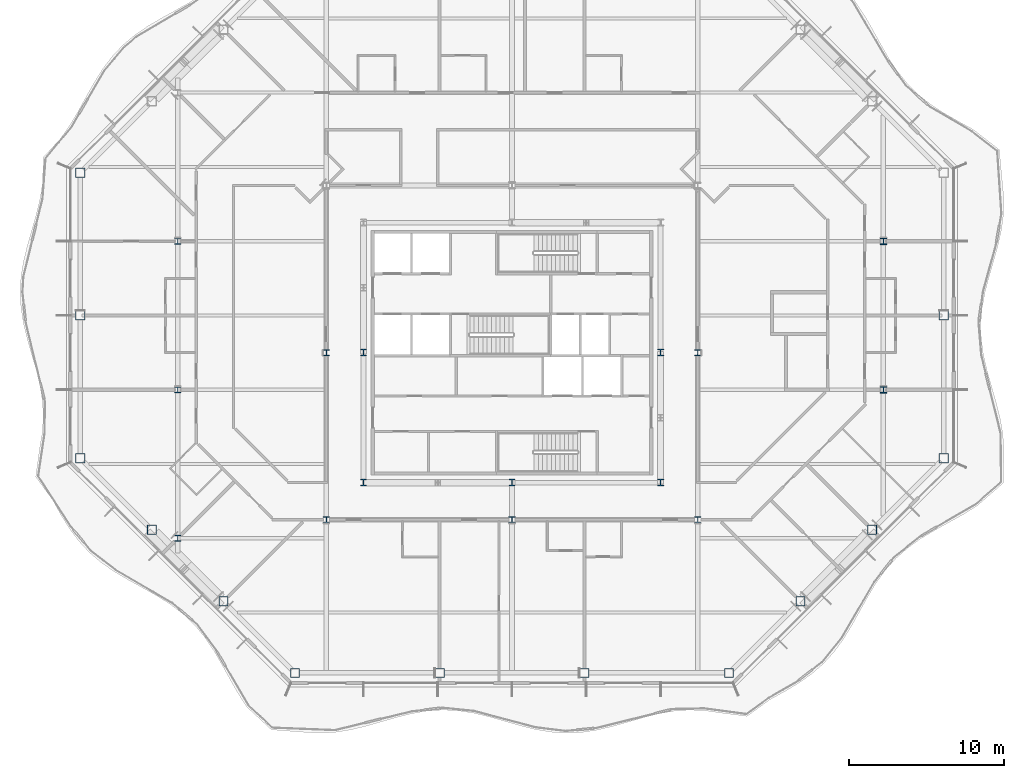
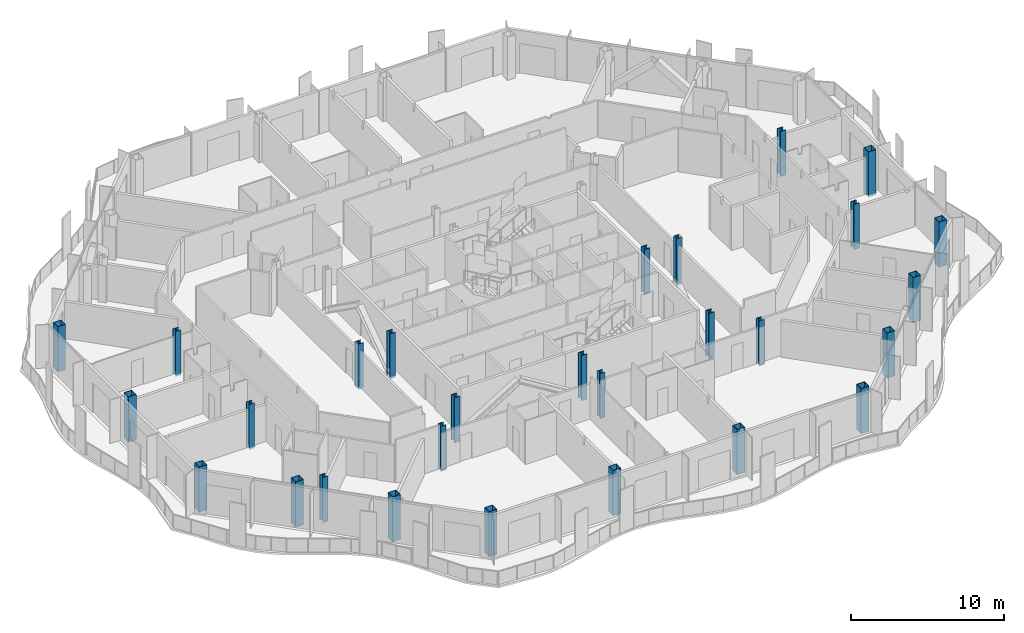
# One storey, part 1 of 20: 28 columns.
"""IFC4 building model written with IfcOpenShell, lengths in metres."""

from ifc_helpers import new_model, si_unit, direction, frame, origin, origin_2d, place, context, subcontext, project, spatial, hollow_rectangle, i_section, extrude, material, material_profile, profile_set, type_object, element, save


model = new_model("IFC4")

# Units and contexts
model_context = context("Model", 3, precision=1e-05, world=origin(), true_north=direction((0.0, 1.0)))
body_context = subcontext(model_context, "Body", "Model", "MODEL_VIEW")
ifc_project = project(units=[si_unit("LENGTHUNIT", "METRE"), si_unit("AREAUNIT", "SQUARE_METRE"), si_unit("VOLUMEUNIT", "CUBIC_METRE"), si_unit("PLANEANGLEUNIT", "RADIAN"), si_unit("MASSUNIT", "GRAM", prefix="KILO")], contexts=[model_context])

# Site, building, storey
site_placement = place(None, origin())
site = spatial("IfcSite", under=ifc_project, at=site_placement, CompositionType="ELEMENT")
building_placement = place(site_placement, origin())
building = spatial("IfcBuilding", under=site, at=building_placement, Name="Cairn Pilgrim Tower", CompositionType="ELEMENT")
storey_placement = place(building_placement, frame((0.0, 0.0, 165.0)))
storey = spatial("IfcBuildingStorey", under=building, at=storey_placement, Name="L41", CompositionType="ELEMENT", Elevation=165.0)

# Columns
ifc_material_1 = material(Name="Structural steel S460M", Category="steel")
ifc_material_profile_1 = material_profile(ifc_material_1, hollow_rectangle(XDim=0.60009765625, YDim=0.60009765625, WallThickness=0.034912109375, at=origin_2d()), Name="BOX 600x600x35")
ifc_profile_set_1 = profile_set([ifc_material_profile_1], Name="Structural steel S460M")
column_type_1 = type_object("IfcColumnType", Name="BOX 600x600x35", PredefinedType="COLUMN", material=ifc_profile_set_1)
for number, where, z_axis, x_axis, name in (
    (1, (-6.8271484375, -18.300048828125, -0.14990234375), (0.0, 0.0, 1.0), (1.0, 0.0, 0.0), "PC2-S1"),
    (2, (2.5244140625, -18.300048828125, -0.14990234375), (0.0, 0.0, 1.0), (1.0, 0.0, 0.0), "PC2-S2"),
    (3, (11.875732421875, -18.300048828125, -0.14990234375), (0.0, 0.0, 1.0), (1.0, 0.0, 0.0), "PC2-S3"),
    (4, (21.227294921875, -18.300048828125, -0.14990234375), (0.0, 0.0, 1.0), (1.0, 0.0, 0.0), "PC2-SE1"),
    (5, (25.8515625, -13.67578125, -0.14990234375), (0.0, 0.0, 1.0), (1.0, 0.0, 0.0), "PC2-SE2"),
    (6, (30.4755859375, -9.051513671875, -0.14990234375), (0.0, 0.0, 1.0), (1.0, 0.0, 0.0), "PC2-SE3"),
    (7, (35.10009765625, -4.42724609375, -0.14990234375), (0.0, 0.0, 1.0), (1.0, 0.0, 0.0), "PC2-E1"),
    (8, (35.10009765625, 4.800048828125, -0.14990234375), (0.0, 0.0, 1.0), (1.0, 0.0, 0.0), "PC2-E2"),
    (9, (-20.699951171875, 14.027099609375, -0.14990234375), (0.0, 0.0, 1.0), (1.0, 0.0, 0.0), "PC2-W1"),
    (10, (-20.699951171875, 4.800048828125, -0.14990234375), (0.0, 0.0, 1.0), (1.0, 0.0, 0.0), "PC2-W2"),
    (11, (-20.699951171875, -4.42724609375, -0.14990234375), (0.0, 0.0, 1.0), (1.0, 0.0, 0.0), "PC2-SW1"),
    (12, (-16.07568359375, -9.051513671875, -0.14990234375), (0.0, 0.0, 1.0), (1.0, 0.0, 0.0), "PC2-SW2"),
    (13, (-11.451416015625, -13.67578125, -0.14990234375), (0.0, 0.0, 1.0), (1.0, 0.0, 0.0), "PC2-SW3"),
):
    element("IfcColumn", number, at=place(storey_placement, frame(where, z_axis=z_axis, x_axis=x_axis)), inside=storey, type_object=column_type_1, Name=name, PredefinedType="COLUMN", context=body_context, shape_type="SweptSolid", body=[
        extrude(hollow_rectangle(XDim=0.60009765625, YDim=0.60009765625, WallThickness=0.034912109375, at=origin_2d()), origin(), (0.0, 0.0, 1.0), 3.599853515625),
    ])
ifc_material_2 = material(Name="Structural steel S355J2", Category="steel")
ifc_material_profile_2 = material_profile(ifc_material_2, i_section(OverallWidth=0.39892578125, OverallDepth=0.39306640625, WebThickness=0.022705078125, FlangeThickness=0.03662109375, FilletRadius=0.014892578125, at=origin_2d()), Name="HD 400x287")
ifc_profile_set_2 = profile_set([ifc_material_profile_2], Name="Structural steel S355J2")
column_type_2 = type_object("IfcColumnType", Name="HD 400x287", PredefinedType="COLUMN", material=ifc_profile_set_2)
for number, where, z_axis, x_axis, name in (
    (14, (-4.800048828125, -8.39990234375, -0.14990234375), (0.0, 0.0, 1.0), (1.0, 0.0, 0.0), "IC-1"),
    (15, (7.199951171875, -8.39990234375, -0.14990234375), (0.0, 0.0, 1.0), (1.0, 0.0, 0.0), "IC-2"),
    (16, (19.199951171875, -8.39990234375, -0.14990234375), (0.0, 0.0, 1.0), (1.0, 0.0, 0.0), "IC-3"),
    (17, (-4.800048828125, 2.39990234375, -0.14990234375), (0.0, 0.0, 1.0), (1.0, 0.0, 0.0), "IC-4"),
    (18, (19.199951171875, 2.39990234375, -0.14990234375), (0.0, 0.0, 1.0), (1.0, 0.0, 0.0), "IC-5"),
    (19, (-14.39990234375, -9.60009765625, -0.14990234375), (0.0, 0.0, 1.0), (1.0, 0.0, 0.0), "WC-WW-2"),
    (20, (-14.39990234375, 0.0, -0.14990234375), (0.0, 0.0, 1.0), (1.0, 0.0, 0.0), "WC-WW+0"),
    (21, (-14.39990234375, 9.60009765625, -0.14990234375), (0.0, 0.0, 1.0), (1.0, 0.0, 0.0), "WC-WW+2"),
):
    element("IfcColumn", number, at=place(storey_placement, frame(where, z_axis=z_axis, x_axis=x_axis)), inside=storey, type_object=column_type_2, Name=name, PredefinedType="COLUMN", context=body_context, shape_type="SweptSolid", body=[
        extrude(i_section(OverallWidth=0.39892578125, OverallDepth=0.39306640625, WebThickness=0.022705078125, FlangeThickness=0.03662109375, FilletRadius=0.014892578125, at=origin_2d()), origin(), (0.0, 0.0, 1.0), 3.599853515625),
    ])
ifc_material_profile_3 = material_profile(ifc_material_1, i_section(OverallWidth=0.408935546875, OverallDepth=0.425048828125, WebThickness=0.03271484375, FlangeThickness=0.052490234375, FilletRadius=0.014892578125, at=origin_2d()), Name="HD 400x421")
ifc_profile_set_3 = profile_set([ifc_material_profile_3], Name="Structural steel S460M")
column_type_3 = type_object("IfcColumnType", Name="HD 400x421", PredefinedType="COLUMN", material=ifc_profile_set_3)
for number, where, z_axis, x_axis, name in (
    (22, (31.199951171875, 0.0, -0.14990234375), (0.0, 0.0, 1.0), (1.0, 0.0, 0.0), "WC-WE+0"),
    (23, (31.199951171875, 9.60009765625, -0.14990234375), (0.0, 0.0, 1.0), (1.0, 0.0, 0.0), "WC-WE+2"),
):
    element("IfcColumn", number, at=place(storey_placement, frame(where, z_axis=z_axis, x_axis=x_axis)), inside=storey, type_object=column_type_3, Name=name, PredefinedType="COLUMN", context=body_context, shape_type="SweptSolid", body=[
        extrude(i_section(OverallWidth=0.408935546875, OverallDepth=0.425048828125, WebThickness=0.03271484375, FlangeThickness=0.052490234375, FilletRadius=0.014892578125, at=origin_2d()), origin(), (0.0, 0.0, 1.0), 3.599853515625),
    ])
ifc_material_profile_4 = material_profile(ifc_material_1, i_section(OverallWidth=0.416015625, OverallDepth=0.446044921875, WebThickness=0.0390625, FlangeThickness=0.062744140625, FilletRadius=0.014892578125, at=origin_2d()), Name="HD 400x509")
ifc_profile_set_4 = profile_set([ifc_material_profile_4], Name="Structural steel S460M")
column_type_4 = type_object("IfcColumnType", Name="HD 400x509", PredefinedType="COLUMN", material=ifc_profile_set_4)
for number, where, z_axis, x_axis, name in (
    (24, (-2.39990234375, -6.0, -0.14990234375), (0.0, 0.0, 1.0), (1.0, 0.0, 0.0), "KC-1"),
    (25, (7.199951171875, -6.0, -0.14990234375), (0.0, 0.0, 1.0), (1.0, 0.0, 0.0), "KC-2"),
    (26, (16.800048828125, -6.0, -0.14990234375), (0.0, 0.0, 1.0), (1.0, 0.0, 0.0), "KC-3"),
    (27, (-2.39990234375, 2.39990234375, -0.14990234375), (0.0, 0.0, 1.0), (1.0, 0.0, 0.0), "KC-4"),
    (28, (16.800048828125, 2.39990234375, -0.14990234375), (0.0, 0.0, 1.0), (1.0, 0.0, 0.0), "KC-5"),
):
    element("IfcColumn", number, at=place(storey_placement, frame(where, z_axis=z_axis, x_axis=x_axis)), inside=storey, type_object=column_type_4, Name=name, PredefinedType="COLUMN", context=body_context, shape_type="SweptSolid", body=[
        extrude(i_section(OverallWidth=0.416015625, OverallDepth=0.446044921875, WebThickness=0.0390625, FlangeThickness=0.062744140625, FilletRadius=0.014892578125, at=origin_2d()), origin(), (0.0, 0.0, 1.0), 3.599853515625),
    ])

save(model, "model.ifc")
